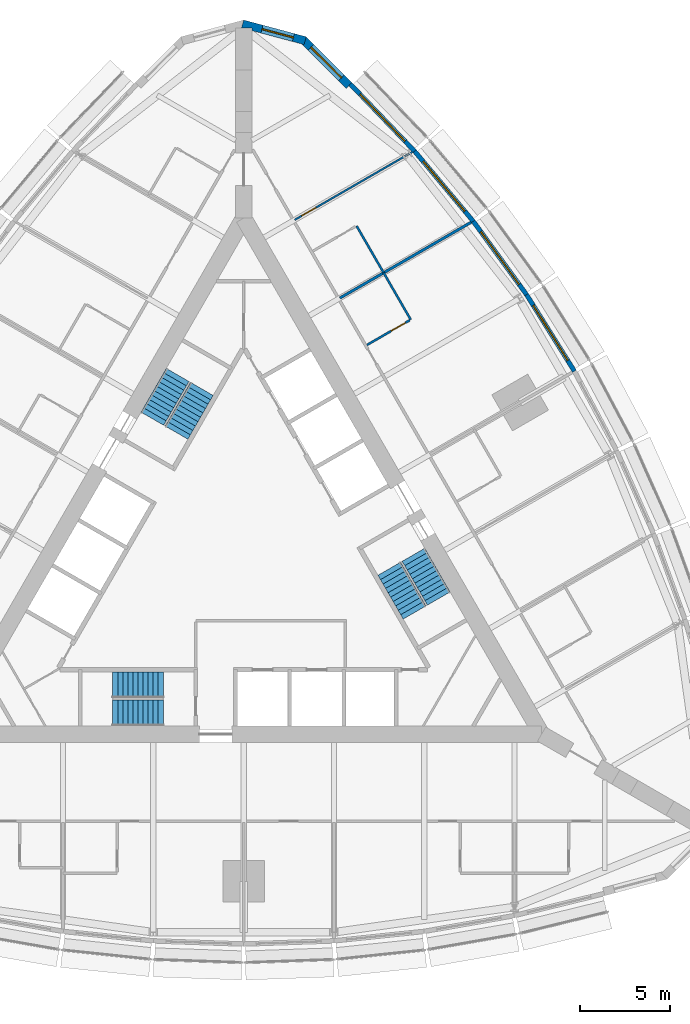
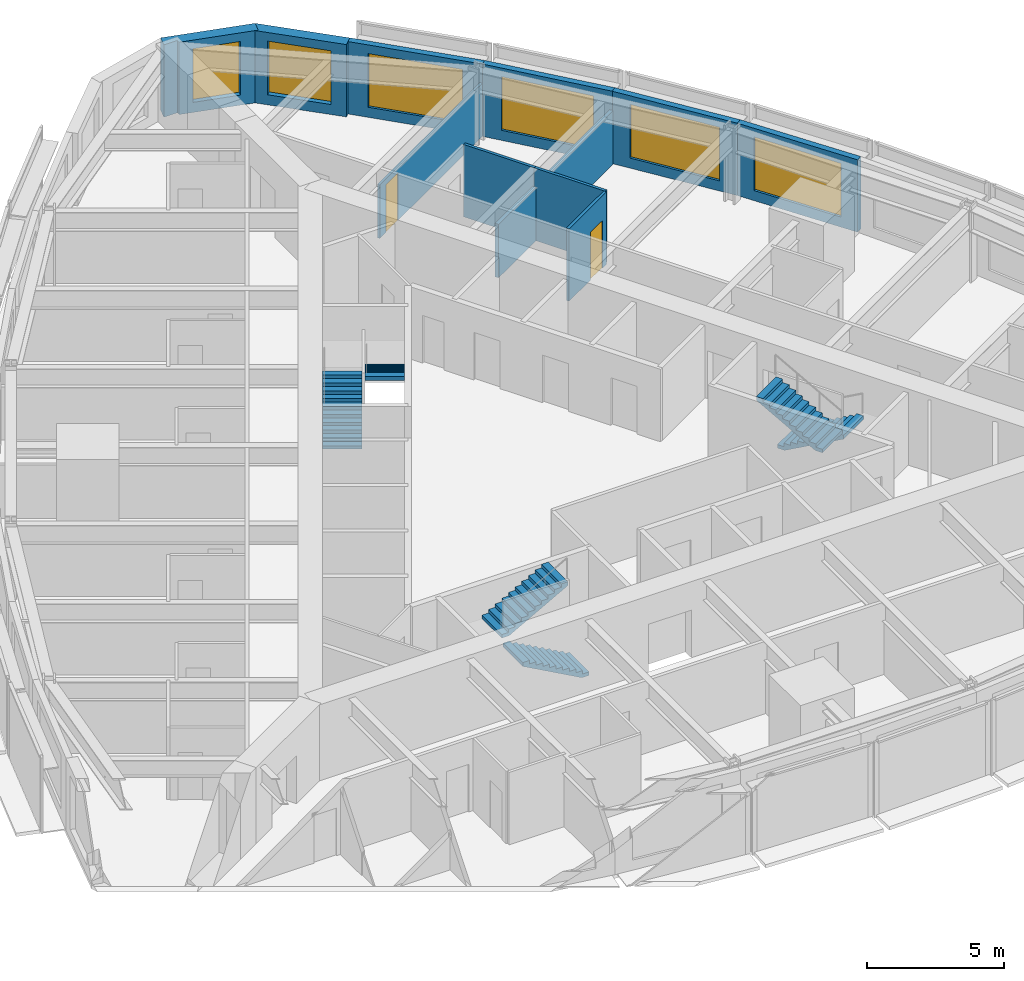
# One storey, part 13 of 14: 11 walls, 6 stair flights, 6 windows, 2 doors, 8 openings, 3 elements without a shape of their own.
"""IFC4 building model written with IfcOpenShell, lengths in metres."""

from ifc_helpers import new_model, si_unit, direction, frame, frame_2d, origin, place, context, subcontext, project, spatial, polyline, rectangle, outline, extrude, material, layer, layer_set, type_object, element, fill, aggregate, save


model = new_model("IFC4")

# Units and contexts
model_context = context("Model", 3, precision=1e-05, world=origin(), true_north=direction((0.0, 1.0)))
body_context = subcontext(model_context, "Body", "Model", "MODEL_VIEW")
ifc_project = project(units=[si_unit("LENGTHUNIT", "METRE"), si_unit("AREAUNIT", "SQUARE_METRE"), si_unit("VOLUMEUNIT", "CUBIC_METRE"), si_unit("PLANEANGLEUNIT", "RADIAN"), si_unit("MASSUNIT", "GRAM", prefix="KILO")], contexts=[model_context])

# Site, building, storey
site_placement = place(None, origin())
site = spatial("IfcSite", under=ifc_project, at=site_placement, CompositionType="ELEMENT")
building_placement = place(site_placement, origin())
building = spatial("IfcBuilding", under=site, at=building_placement, Name="Trikona Tower", CompositionType="ELEMENT")
storey_placement = place(building_placement, frame((0.0, 0.0, 179.300048828125)))
storey = spatial("IfcBuildingStorey", under=building, at=storey_placement, Name="L48", CompositionType="ELEMENT", Elevation=179.300048828125)

# Wall
ifc_material_1 = material(Name="Metal stud and cement board", Category="gypsum")
ifc_layer_1 = layer(ifc_material_1, 0.1201171875)
ifc_layer_set_1 = layer_set([ifc_layer_1], Name="Bathroom wall 120")
wall_type_1 = type_object("IfcWallType", Name="Bathroom wall 120", PredefinedType="PLUMBINGWALL", material=ifc_layer_set_1)
wall_1_placement = place(storey_placement, frame((9.25341796875, 13.42529296875, 0.0), z_axis=(0.0, 0.0, 1.0), x_axis=(-0.499990139034, 0.866031096941, 0.0)))
element("IfcWall", 1, at=wall_1_placement, inside=storey, type_object=wall_type_1, Name="Bathroom wall 4808", PredefinedType="PLUMBINGWALL", context=body_context, shape_type="SweptSolid", body=[
    extrude(rectangle(XDim=3.0, YDim=0.1201171875, at=frame_2d((1.5, 0.0))), origin(), (0.0, 0.0, 1.0), 3.23486328125),
])

# Wall, opening, door
wall_2_placement = place(storey_placement, frame((6.82861328125, 12.025390625, 0.0), z_axis=(0.0, 0.0, 1.0), x_axis=(0.866035715982, 0.499982138324, 0.0)))
wall_2 = element("IfcWall", 2, at=wall_2_placement, inside=storey, type_object=wall_type_1, Name="Bathroom wall 4808", PredefinedType="PLUMBINGWALL", context=body_context, shape_type="SweptSolid", body=[
    extrude(rectangle(XDim=2.73974609375, YDim=0.1201171875, at=frame_2d((1.369873046875, 0.0))), origin(), (0.0, 0.0, 1.0), 3.23486328125),
])
opening_1_placement = place(wall_2_placement, frame((1.550048828125, 0.0, 0.0)))
opening_1 = element("IfcOpeningElement", 3, at=opening_1_placement, cuts=wall_2, Name="Opening D2", PredefinedType="OPENING", context=body_context, shape_type="SweptSolid", body=[
    extrude(rectangle(XDim=0.89990234375, YDim=2.1298828125, at=frame_2d((0.449951171875, 1.06494140625))), frame((0.0, 0.070068359375, 0.0), z_axis=(0.0, -1.0, 0.0), x_axis=(1.0, 0.0, 0.0)), (0.0, 0.0, 1.0), 0.14013671875),
])
ifc_material_2 = material(Name="Steel door frame with solid-core timber leaf", Category="steel")
door_type_1 = type_object("IfcDoorType", Name="Bathroom door 900x2130", OperationType="SLIDING_TO_LEFT", PredefinedType="DOOR", material=ifc_material_2)
door_1_placement = place(opening_1_placement, origin())
door_1 = element("IfcDoor", 4, at=door_1_placement, inside=storey, type_object=door_type_1, Name="Bathroom door 4808", OperationType="SLIDING_TO_LEFT", OverallHeight=2.1298828125, OverallWidth=0.89990234375, PredefinedType="DOOR", context=body_context, shape_type="SweptSolid", body=[
    extrude(rectangle(XDim=0.89990234375, YDim=2.1298828125, at=frame_2d((0.449951171875, 1.06494140625))), frame((0.0, 0.02490234375, 0.0), z_axis=(0.0, -1.0, 0.0), x_axis=(1.0, 0.0, 0.0)), (0.0, 0.0, 1.0), 0.050048828125),
])
fill(opening_1, door_1)

# Wall
wall_3_placement = place(storey_placement, frame((7.75341796875, 16.0234375, 0.0), z_axis=(0.0, 0.0, 1.0), x_axis=(-0.499990139034, 0.866031096941, 0.0)))
element("IfcWall", 5, at=wall_3_placement, inside=storey, type_object=wall_type_1, Name="Bathroom wall 4809.1", PredefinedType="PLUMBINGWALL", context=body_context, shape_type="SweptSolid", body=[
    extrude(rectangle(XDim=3.0, YDim=0.1201171875, at=frame_2d((1.5, 0.0))), origin(), (0.0, 0.0, 1.0), 3.23486328125),
])

# Wall, opening, window
ifc_material_3 = material(Name="Brick-faced precast concrete", Category="masonry")
ifc_layer_2 = layer(ifc_material_3, 0.449951171875)
ifc_layer_set_2 = layer_set([ifc_layer_2], Name="Brick-faced corner wall 450")
wall_type_2 = type_object("IfcWallType", Name="Brick-faced corner wall 450", PredefinedType="SOLIDWALL", material=ifc_layer_set_2)
wall_4_placement = place(storey_placement, frame((5.8408203125, 26.39892578125, 0.0), z_axis=(0.0, 0.0, 1.0), x_axis=(-0.707106781187, 0.707106781187, 0.0)))
wall_4 = element("IfcWall", 6, at=wall_4_placement, inside=storey, type_object=wall_type_2, Name="External wall L48-20", PredefinedType="SOLIDWALL", context=body_context, shape_type="SweptSolid", body=[
    extrude(rectangle(XDim=3.586181640625, YDim=0.449951171875, at=frame_2d((1.79296875, 0.0))), origin(), (0.0, 0.0, 1.0), 3.23486328125),
])
opening_2_placement = place(wall_4_placement, frame((0.59326171875, 0.0, 0.449951171875)))
opening_2 = element("IfcOpeningElement", 7, at=opening_2_placement, cuts=wall_4, Name="Opening W2424", PredefinedType="OPENING", context=body_context, shape_type="SweptSolid", body=[
    extrude(rectangle(XDim=2.39990234375, YDim=2.39990234375, at=frame_2d((1.199951171875, 1.199951171875))), frame((0.0, 0.23486328125, 0.0), z_axis=(0.0, -1.0, 0.0), x_axis=(1.0, 0.0, 0.0)), (0.0, 0.0, 1.0), 0.469970703125),
])
ifc_material_4 = material(Name="Aluminium-framed double glazing", Category="aluminium")
window_type_1 = type_object("IfcWindowType", Name="Window 2400x2400", PartitioningType="SINGLE_PANEL", PredefinedType="WINDOW", material=ifc_material_4)
window_1_placement = place(opening_2_placement, origin())
window_1 = element("IfcWindow", 8, at=window_1_placement, inside=storey, type_object=window_type_1, Name="Window 4809", OverallHeight=2.39990234375, OverallWidth=2.39990234375, PartitioningType="SINGLE_PANEL", PredefinedType="WINDOW", context=body_context, shape_type="SweptSolid", body=[
    extrude(rectangle(XDim=2.39990234375, YDim=2.39990234375, at=frame_2d((1.199951171875, 1.199951171875))), frame((0.0, 0.030029296875, 0.0), z_axis=(0.0, -1.0, 0.0), x_axis=(1.0, 0.0, 0.0)), (0.0, 0.0, 1.0), 0.06005859375),
])
fill(opening_2, window_1)

wall_5_placement = place(storey_placement, frame((3.406005859375, 28.876708984375, 0.0), z_axis=(0.0, 0.0, 1.0), x_axis=(-0.965924653531, 0.258823421857, 0.0)))
wall_5 = element("IfcWall", 9, at=wall_5_placement, inside=storey, type_object=wall_type_2, Name="External wall L48-21", PredefinedType="SOLIDWALL", context=body_context, shape_type="SweptSolid", body=[
    extrude(outline(polyline([(3.58642578125, 0.22509765625), (3.526611328125, 0.22509765625), (3.035400390625, 0.09326171875), (3.0, 0.22509765625), (0.0, 0.22509765625), (0.0, -0.22509765625), (3.58642578125, -0.22509765625), (3.58642578125, 0.22509765625)])), origin(), (0.0, 0.0, 1.0), 3.23486328125),
])
opening_3_placement = place(wall_5_placement, frame((0.6748046875, 0.0, 0.449951171875)))
opening_3 = element("IfcOpeningElement", 10, at=opening_3_placement, cuts=wall_5, Name="Opening W1824", PredefinedType="OPENING", context=body_context, shape_type="SweptSolid", body=[
    extrude(rectangle(XDim=1.800048828125, YDim=2.39990234375, at=frame_2d((0.89990234375, 1.199951171875))), frame((0.0, 0.23486328125, 0.0), z_axis=(0.0, -1.0, 0.0), x_axis=(1.0, 0.0, 0.0)), (0.0, 0.0, 1.0), 0.469970703125),
])
ifc_material_5 = material(Name="Aluminium-framed double glazing", Category="aluminium")
window_type_2 = type_object("IfcWindowType", Name="Window 1800x2400", PartitioningType="SINGLE_PANEL", PredefinedType="WINDOW", material=ifc_material_5)
window_2_placement = place(opening_3_placement, origin())
window_2 = element("IfcWindow", 11, at=window_2_placement, inside=storey, type_object=window_type_2, Name="Window 4809", OverallHeight=2.39990234375, OverallWidth=1.800048828125, PartitioningType="SINGLE_PANEL", PredefinedType="WINDOW", context=body_context, shape_type="SweptSolid", body=[
    extrude(rectangle(XDim=1.800048828125, YDim=2.39990234375, at=frame_2d((0.89990234375, 1.199951171875))), frame((0.0, 0.030029296875, 0.0), z_axis=(0.0, -1.0, 0.0), x_axis=(1.0, 0.0, 0.0)), (0.0, 0.0, 1.0), 0.06005859375),
])
fill(opening_3, window_2)

ifc_material_6 = material(Name="Insulated precast concrete spandrel panel", Category="concrete")
ifc_layer_3 = layer(ifc_material_6, 0.25)
ifc_layer_set_3 = layer_set([ifc_layer_3], Name="Inner skin wall 250")
wall_type_3 = type_object("IfcWallType", Name="Inner skin wall 250", PredefinedType="STANDARD", material=ifc_layer_set_3)
wall_6_placement = place(storey_placement, frame((18.31884765625, 10.5712890625, 0.0), z_axis=(0.0, 0.0, 1.0), x_axis=(-0.529990167382, 0.84800378683, 0.0)))
wall_6 = element("IfcWall", 12, at=wall_6_placement, inside=storey, type_object=wall_type_3, Name="External wall L48-16", PredefinedType="STANDARD", context=body_context, shape_type="SweptSolid", body=[
    extrude(rectangle(XDim=5.003173828125, YDim=0.25, at=frame_2d((2.50146484375, 0.0))), origin(), (0.0, 0.0, 1.0), 3.23486328125),
])
opening_4_placement = place(wall_6_placement, frame((0.701416015625, 0.0, 0.449951171875)))
opening_4 = element("IfcOpeningElement", 13, at=opening_4_placement, cuts=wall_6, Name="Opening W3624", PredefinedType="OPENING", context=body_context, shape_type="SweptSolid", body=[
    extrude(rectangle(XDim=3.60009765625, YDim=2.39990234375, at=frame_2d((1.800048828125, 1.199951171875))), frame((0.0, 0.135009765625, 0.0), z_axis=(0.0, -1.0, 0.0), x_axis=(1.0, 0.0, 0.0)), (0.0, 0.0, 1.0), 0.27001953125),
])
ifc_material_7 = material(Name="Aluminium-framed double glazing", Category="aluminium")
window_type_3 = type_object("IfcWindowType", Name="Window 3600x2400", PartitioningType="SINGLE_PANEL", PredefinedType="WINDOW", material=ifc_material_7)
window_3_placement = place(opening_4_placement, origin())
window_3 = element("IfcWindow", 14, at=window_3_placement, inside=storey, type_object=window_type_3, Name="Window 4808", OverallHeight=2.39990234375, OverallWidth=3.60009765625, PartitioningType="SINGLE_PANEL", PredefinedType="WINDOW", context=body_context, shape_type="SweptSolid", body=[
    extrude(rectangle(XDim=3.60009765625, YDim=2.39990234375, at=frame_2d((1.800048828125, 1.199951171875))), frame((0.0, 0.030029296875, 0.0), z_axis=(0.0, -1.0, 0.0), x_axis=(1.0, 0.0, 0.0)), (0.0, 0.0, 1.0), 0.06005859375),
])
fill(opening_4, window_3)

wall_7_placement = place(storey_placement, frame((15.672119140625, 14.806640625, 0.0), z_axis=(0.0, 0.0, 1.0), x_axis=(-0.587669188412, 0.809101307001, 0.0)))
wall_7 = element("IfcWall", 15, at=wall_7_placement, inside=storey, type_object=wall_type_3, Name="External wall L48-17", PredefinedType="STANDARD", context=body_context, shape_type="SweptSolid", body=[
    extrude(rectangle(XDim=5.027587890625, YDim=0.25, at=frame_2d((2.513671875, 0.0))), origin(), (0.0, 0.0, 1.0), 3.23486328125),
])
opening_5_placement = place(wall_7_placement, frame((0.7138671875, 0.0, 0.449951171875)))
opening_5 = element("IfcOpeningElement", 16, at=opening_5_placement, cuts=wall_7, Name="Opening W3624", PredefinedType="OPENING", context=body_context, shape_type="SweptSolid", body=[
    extrude(rectangle(XDim=3.60009765625, YDim=2.39990234375, at=frame_2d((1.800048828125, 1.199951171875))), frame((0.0, 0.135009765625, 0.0), z_axis=(0.0, -1.0, 0.0), x_axis=(1.0, 0.0, 0.0)), (0.0, 0.0, 1.0), 0.27001953125),
])
window_4_placement = place(opening_5_placement, origin())
window_4 = element("IfcWindow", 17, at=window_4_placement, inside=storey, type_object=window_type_3, Name="Window 4808", OverallHeight=2.39990234375, OverallWidth=3.60009765625, PartitioningType="SINGLE_PANEL", PredefinedType="WINDOW", context=body_context, shape_type="SweptSolid", body=[
    extrude(rectangle(XDim=3.60009765625, YDim=2.39990234375, at=frame_2d((1.800048828125, 1.199951171875))), frame((0.0, 0.030029296875, 0.0), z_axis=(0.0, -1.0, 0.0), x_axis=(1.0, 0.0, 0.0)), (0.0, 0.0, 1.0), 0.06005859375),
])
fill(opening_5, window_4)

wall_8_placement = place(storey_placement, frame((12.722900390625, 18.86767578125, 0.0), z_axis=(0.0, 0.0, 1.0), x_axis=(-0.641810386606, 0.766863369607, 0.0)))
wall_8 = element("IfcWall", 18, at=wall_8_placement, inside=storey, type_object=wall_type_3, Name="External wall L48-18", PredefinedType="STANDARD", context=body_context, shape_type="SweptSolid", body=[
    extrude(rectangle(XDim=5.075927734375, YDim=0.25, at=frame_2d((2.5380859375, 0.0))), origin(), (0.0, 0.0, 1.0), 3.23486328125),
])
opening_6_placement = place(wall_8_placement, frame((0.738037109375, 0.0, 0.449951171875)))
opening_6 = element("IfcOpeningElement", 19, at=opening_6_placement, cuts=wall_8, Name="Opening W3624", PredefinedType="OPENING", context=body_context, shape_type="SweptSolid", body=[
    extrude(rectangle(XDim=3.60009765625, YDim=2.39990234375, at=frame_2d((1.800048828125, 1.199951171875))), frame((0.0, 0.135009765625, 0.0), z_axis=(0.0, -1.0, 0.0), x_axis=(1.0, 0.0, 0.0)), (0.0, 0.0, 1.0), 0.27001953125),
])
window_5_placement = place(opening_6_placement, origin())
window_5 = element("IfcWindow", 20, at=window_5_placement, inside=storey, type_object=window_type_3, Name="Window 4809.1", OverallHeight=2.39990234375, OverallWidth=3.60009765625, PartitioningType="SINGLE_PANEL", PredefinedType="WINDOW", context=body_context, shape_type="SweptSolid", body=[
    extrude(rectangle(XDim=3.60009765625, YDim=2.39990234375, at=frame_2d((1.800048828125, 1.199951171875))), frame((0.0, 0.030029296875, 0.0), z_axis=(0.0, -1.0, 0.0), x_axis=(1.0, 0.0, 0.0)), (0.0, 0.0, 1.0), 0.06005859375),
])
fill(opening_6, window_5)

wall_9_placement = place(storey_placement, frame((9.470703125, 22.75390625, 0.0), z_axis=(0.0, 0.0, 1.0), x_axis=(-0.691719937936, 0.722165858693, 0.0)))
wall_9 = element("IfcWall", 21, at=wall_9_placement, inside=storey, type_object=wall_type_3, Name="External wall L48-19", PredefinedType="STANDARD", context=body_context, shape_type="SweptSolid", body=[
    extrude(rectangle(XDim=5.148193359375, YDim=0.25, at=frame_2d((2.57421875, 0.0))), origin(), (0.0, 0.0, 1.0), 3.23486328125),
])
opening_7_placement = place(wall_9_placement, frame((0.77392578125, 0.0, 0.449951171875)))
opening_7 = element("IfcOpeningElement", 22, at=opening_7_placement, cuts=wall_9, Name="Opening W3624", PredefinedType="OPENING", context=body_context, shape_type="SweptSolid", body=[
    extrude(rectangle(XDim=3.60009765625, YDim=2.39990234375, at=frame_2d((1.800048828125, 1.199951171875))), frame((0.0, 0.135009765625, 0.0), z_axis=(0.0, -1.0, 0.0), x_axis=(1.0, 0.0, 0.0)), (0.0, 0.0, 1.0), 0.27001953125),
])
window_6_placement = place(opening_7_placement, origin())
window_6 = element("IfcWindow", 23, at=window_6_placement, inside=storey, type_object=window_type_3, Name="Window 4809", OverallHeight=2.39990234375, OverallWidth=3.60009765625, PartitioningType="SINGLE_PANEL", PredefinedType="WINDOW", context=body_context, shape_type="SweptSolid", body=[
    extrude(rectangle(XDim=3.60009765625, YDim=2.39990234375, at=frame_2d((1.800048828125, 1.199951171875))), frame((0.0, 0.030029296875, 0.0), z_axis=(0.0, -1.0, 0.0), x_axis=(1.0, 0.0, 0.0)), (0.0, 0.0, 1.0), 0.06005859375),
])
fill(opening_7, window_6)

# Wall
ifc_material_8 = material(Name="Metal stud and gypsum board, 1-hour acoustic", Category="gypsum")
ifc_layer_4 = layer(ifc_material_8, 0.14990234375)
ifc_layer_set_4 = layer_set([ifc_layer_4], Name="Party wall 150")
wall_type_4 = type_object("IfcWallType", Name="Party wall 150", PredefinedType="PARTITIONING", material=ifc_layer_set_4)
wall_10_placement = place(storey_placement, frame((5.32861328125, 14.623291015625, 0.0), z_axis=(0.0, 0.0, 1.0), x_axis=(0.866011723728, 0.500023693804, 0.0)))
element("IfcWall", 24, at=wall_10_placement, inside=storey, type_object=wall_type_4, Name="Partition L48 F2 u10", PredefinedType="PARTITIONING", context=body_context, shape_type="SweptSolid", body=[
    extrude(rectangle(XDim=8.39501953125, YDim=0.14990234375, at=frame_2d((4.197509765625, 0.0))), origin(), (0.0, 0.0, 1.0), 2.38916015625),
])

# Wall, opening, door
ifc_material_9 = material(Name="Metal stud and gypsum board, acoustic", Category="gypsum")
ifc_layer_5 = layer(ifc_material_9, 0.10009765625)
ifc_layer_set_5 = layer_set([ifc_layer_5], Name="Suite partition 100")
wall_type_5 = type_object("IfcWallType", Name="Suite partition 100", PredefinedType="PARTITIONING", material=ifc_layer_set_5)
wall_11_placement = place(storey_placement, frame((2.82861328125, 18.95361328125, 0.0), z_axis=(0.0, 0.0, 1.0), x_axis=(0.866015739374, 0.500016738876, 0.0)))
wall_11 = element("IfcWall", 25, at=wall_11_placement, inside=storey, type_object=wall_type_5, Name="Suite partition L48 F2 u15", PredefinedType="PARTITIONING", context=body_context, shape_type="SweptSolid", body=[
    extrude(rectangle(XDim=7.516357421875, YDim=0.10009765625, at=frame_2d((3.75830078125, 0.0))), origin(), (0.0, 0.0, 1.0), 2.38916015625),
])
opening_8_placement = place(wall_11_placement, frame((0.449951171875, 0.0, 0.0)))
opening_8 = element("IfcOpeningElement", 26, at=opening_8_placement, cuts=wall_11, Name="Opening D13", PredefinedType="OPENING", context=body_context, shape_type="SweptSolid", body=[
    extrude(rectangle(XDim=0.89990234375, YDim=2.1298828125, at=frame_2d((0.449951171875, 1.06494140625))), frame((0.0, 0.06005859375, 0.0), z_axis=(0.0, -1.0, 0.0), x_axis=(1.0, 0.0, 0.0)), (0.0, 0.0, 1.0), 0.1201171875),
])
ifc_material_10 = material(Name="Steel door frame with solid-core timber leaf", Category="steel")
door_type_2 = type_object("IfcDoorType", Name="Suite door 900x2130", OperationType="SINGLE_SWING_LEFT", PredefinedType="DOOR", material=ifc_material_10)
door_2_placement = place(opening_8_placement, origin())
door_2 = element("IfcDoor", 27, at=door_2_placement, inside=storey, type_object=door_type_2, Name="Suite door 4809", OperationType="SINGLE_SWING_LEFT", OverallHeight=2.1298828125, OverallWidth=0.89990234375, PredefinedType="DOOR", context=body_context, shape_type="SweptSolid", body=[
    extrude(rectangle(XDim=0.89990234375, YDim=2.1298828125, at=frame_2d((0.449951171875, 1.06494140625))), frame((0.0, 0.02490234375, 0.0), z_axis=(0.0, -1.0, 0.0), x_axis=(1.0, 0.0, 0.0)), (0.0, 0.0, 1.0), 0.050048828125),
])
fill(opening_8, door_2)

# Stair, stair flights
ifc_material_11 = material(Name="Concrete f'c 5000 psi", Category="concrete")
stair_type = type_object("IfcStairType", Name="Core stair", PredefinedType="HALF_TURN_STAIR", material=ifc_material_11)
stair_1_placement = place(storey_placement, origin())
stair_1 = element("IfcStair", 28, at=stair_1_placement, inside=storey, type_object=stair_type, Name="Stair A L48", PredefinedType="HALF_TURN_STAIR")
ifc_material_12 = material(Name="Concrete f'c 5000 psi", Category="concrete")
stair_flight_type = type_object("IfcStairFlightType", Name="Core stair flight 1450", PredefinedType="STRAIGHT", material=ifc_material_12)
stair_flight_1_placement = place(storey_placement, frame((-4.449951171875, -8.351318359375, 0.0), z_axis=(0.0, 0.0, 1.0), x_axis=(-1.0, 0.0, 0.0)))
stair_flight_1 = element("IfcStairFlight", 29, at=stair_flight_1_placement, type_object=stair_flight_type, Name="ST-A flight 1", NumberOfRisers=11, NumberOfTreads=10, PredefinedType="STRAIGHT", RiserHeight=0.154545, TreadLength=0.28, context=body_context, shape_type="SweptSolid", body=[
    extrude(outline(polyline([(0.0, 0.0), (0.0, 0.154541015625), (0.280029296875, 0.154541015625), (0.280029296875, 0.30908203125), (0.56005859375, 0.30908203125), (0.56005859375, 0.463623046875), (0.840087890625, 0.463623046875), (0.840087890625, 0.6181640625), (1.1201171875, 0.6181640625), (1.1201171875, 0.772705078125), (1.39990234375, 0.772705078125), (1.39990234375, 0.92724609375), (1.679931640625, 0.92724609375), (1.679931640625, 1.081787109375), (1.9599609375, 1.081787109375), (1.9599609375, 1.236328125), (2.239990234375, 1.236328125), (2.239990234375, 1.390869140625), (2.52001953125, 1.390869140625), (2.52001953125, 1.54541015625), (2.800048828125, 1.54541015625), (2.800048828125, 1.699951171875), (2.800048828125, 1.374267578125), (0.310302734375, 0.0), (0.0, 0.0)])), frame((0.0, 0.72509765625, 0.0), z_axis=(0.0, -1.0, 0.0), x_axis=(1.0, 0.0, 0.0)), (0.0, 0.0, 1.0), 1.449951171875),
])
stair_flight_2_placement = place(storey_placement, frame((-7.25, -6.80126953125, 1.699951171875), z_axis=(0.0, 0.0, 1.0), x_axis=(1.0, 0.0, 0.0)))
stair_flight_2 = element("IfcStairFlight", 30, at=stair_flight_2_placement, type_object=stair_flight_type, Name="ST-A flight 2", NumberOfRisers=11, NumberOfTreads=10, PredefinedType="STRAIGHT", RiserHeight=0.154545, TreadLength=0.28, context=body_context, shape_type="SweptSolid", body=[
    extrude(outline(polyline([(0.0, 0.0), (0.0, 0.154541015625), (0.280029296875, 0.154541015625), (0.280029296875, 0.30908203125), (0.56005859375, 0.30908203125), (0.56005859375, 0.463623046875), (0.840087890625, 0.463623046875), (0.840087890625, 0.6181640625), (1.1201171875, 0.6181640625), (1.1201171875, 0.772705078125), (1.39990234375, 0.772705078125), (1.39990234375, 0.92724609375), (1.679931640625, 0.92724609375), (1.679931640625, 1.081787109375), (1.9599609375, 1.081787109375), (1.9599609375, 1.236328125), (2.239990234375, 1.236328125), (2.239990234375, 1.390869140625), (2.52001953125, 1.390869140625), (2.52001953125, 1.54541015625), (2.800048828125, 1.54541015625), (2.800048828125, 1.699951171875), (2.800048828125, 1.374267578125), (0.310302734375, 0.0), (0.0, 0.0)])), frame((0.0, 0.72509765625, 0.0), z_axis=(0.0, -1.0, 0.0), x_axis=(1.0, 0.0, 0.0)), (0.0, 0.0, 1.0), 1.449951171875),
])
aggregate(stair_1, [stair_flight_1, stair_flight_2])

stair_2_placement = place(storey_placement, origin())
stair_2 = element("IfcStair", 31, at=stair_2_placement, inside=storey, type_object=stair_type, Name="Stair B L48", PredefinedType="HALF_TURN_STAIR")
stair_flight_3_placement = place(storey_placement, frame((9.407470703125, 0.408447265625, 0.0), z_axis=(0.0, 0.0, 1.0), x_axis=(0.5, -0.866025403784, 0.0)))
stair_flight_3 = element("IfcStairFlight", 32, at=stair_flight_3_placement, type_object=stair_flight_type, Name="ST-B flight 1", NumberOfRisers=11, NumberOfTreads=10, PredefinedType="STRAIGHT", RiserHeight=0.154545, TreadLength=0.28, context=body_context, shape_type="SweptSolid", body=[
    extrude(outline(polyline([(0.0, 0.0), (0.0, 0.154541015625), (0.280029296875, 0.154541015625), (0.280029296875, 0.30908203125), (0.56005859375, 0.30908203125), (0.56005859375, 0.463623046875), (0.840087890625, 0.463623046875), (0.840087890625, 0.6181640625), (1.1201171875, 0.6181640625), (1.1201171875, 0.772705078125), (1.39990234375, 0.772705078125), (1.39990234375, 0.92724609375), (1.679931640625, 0.92724609375), (1.679931640625, 1.081787109375), (1.9599609375, 1.081787109375), (1.9599609375, 1.236328125), (2.239990234375, 1.236328125), (2.239990234375, 1.390869140625), (2.52001953125, 1.390869140625), (2.52001953125, 1.54541015625), (2.800048828125, 1.54541015625), (2.800048828125, 1.699951171875), (2.800048828125, 1.374267578125), (0.310302734375, 0.0), (0.0, 0.0)])), frame((0.0, 0.72509765625, 0.0), z_axis=(0.0, -1.0, 0.0), x_axis=(1.0, 0.0, 0.0)), (0.0, 0.0, 1.0), 1.449951171875),
])
stair_flight_4_placement = place(storey_placement, frame((9.465087890625, -2.79150390625, 1.699951171875), z_axis=(0.0, 0.0, 1.0), x_axis=(-0.5, 0.866025403784, 0.0)))
stair_flight_4 = element("IfcStairFlight", 33, at=stair_flight_4_placement, type_object=stair_flight_type, Name="ST-B flight 2", NumberOfRisers=11, NumberOfTreads=10, PredefinedType="STRAIGHT", RiserHeight=0.154545, TreadLength=0.28, context=body_context, shape_type="SweptSolid", body=[
    extrude(outline(polyline([(0.0, 0.0), (0.0, 0.154541015625), (0.280029296875, 0.154541015625), (0.280029296875, 0.30908203125), (0.56005859375, 0.30908203125), (0.56005859375, 0.463623046875), (0.840087890625, 0.463623046875), (0.840087890625, 0.6181640625), (1.1201171875, 0.6181640625), (1.1201171875, 0.772705078125), (1.39990234375, 0.772705078125), (1.39990234375, 0.92724609375), (1.679931640625, 0.92724609375), (1.679931640625, 1.081787109375), (1.9599609375, 1.081787109375), (1.9599609375, 1.236328125), (2.239990234375, 1.236328125), (2.239990234375, 1.390869140625), (2.52001953125, 1.390869140625), (2.52001953125, 1.54541015625), (2.800048828125, 1.54541015625), (2.800048828125, 1.699951171875), (2.800048828125, 1.374267578125), (0.310302734375, 0.0), (0.0, 0.0)])), frame((0.0, 0.72509765625, 0.0), z_axis=(0.0, -1.0, 0.0), x_axis=(1.0, 0.0, 0.0)), (0.0, 0.0, 1.0), 1.449951171875),
])
aggregate(stair_2, [stair_flight_3, stair_flight_4])

stair_3_placement = place(storey_placement, origin())
stair_3 = element("IfcStair", 34, at=stair_3_placement, inside=storey, type_object=stair_type, Name="Stair C L48", PredefinedType="HALF_TURN_STAIR")
stair_flight_5_placement = place(storey_placement, frame((-5.057373046875, 7.94287109375, 0.0), z_axis=(0.0, 0.0, 1.0), x_axis=(0.5, 0.866025403784, 0.0)))
stair_flight_5 = element("IfcStairFlight", 35, at=stair_flight_5_placement, type_object=stair_flight_type, Name="ST-C flight 1", NumberOfRisers=11, NumberOfTreads=10, PredefinedType="STRAIGHT", RiserHeight=0.154545, TreadLength=0.28, context=body_context, shape_type="SweptSolid", body=[
    extrude(outline(polyline([(0.0, 0.0), (0.0, 0.154541015625), (0.280029296875, 0.154541015625), (0.280029296875, 0.30908203125), (0.56005859375, 0.30908203125), (0.56005859375, 0.463623046875), (0.840087890625, 0.463623046875), (0.840087890625, 0.6181640625), (1.1201171875, 0.6181640625), (1.1201171875, 0.772705078125), (1.39990234375, 0.772705078125), (1.39990234375, 0.92724609375), (1.679931640625, 0.92724609375), (1.679931640625, 1.081787109375), (1.9599609375, 1.081787109375), (1.9599609375, 1.236328125), (2.239990234375, 1.236328125), (2.239990234375, 1.390869140625), (2.52001953125, 1.390869140625), (2.52001953125, 1.54541015625), (2.800048828125, 1.54541015625), (2.800048828125, 1.699951171875), (2.800048828125, 1.374267578125), (0.310302734375, 0.0), (0.0, 0.0)])), frame((0.0, 0.72509765625, 0.0), z_axis=(0.0, -1.0, 0.0), x_axis=(1.0, 0.0, 0.0)), (0.0, 0.0, 1.0), 1.449951171875),
])
stair_flight_6_placement = place(storey_placement, frame((-2.315185546875, 9.5927734375, 1.699951171875), z_axis=(0.0, 0.0, 1.0), x_axis=(-0.5, -0.866025403784, 0.0)))
stair_flight_6 = element("IfcStairFlight", 36, at=stair_flight_6_placement, type_object=stair_flight_type, Name="ST-C flight 2", NumberOfRisers=11, NumberOfTreads=10, PredefinedType="STRAIGHT", RiserHeight=0.154545, TreadLength=0.28, context=body_context, shape_type="SweptSolid", body=[
    extrude(outline(polyline([(0.0, 0.0), (0.0, 0.154541015625), (0.280029296875, 0.154541015625), (0.280029296875, 0.30908203125), (0.56005859375, 0.30908203125), (0.56005859375, 0.463623046875), (0.840087890625, 0.463623046875), (0.840087890625, 0.6181640625), (1.1201171875, 0.6181640625), (1.1201171875, 0.772705078125), (1.39990234375, 0.772705078125), (1.39990234375, 0.92724609375), (1.679931640625, 0.92724609375), (1.679931640625, 1.081787109375), (1.9599609375, 1.081787109375), (1.9599609375, 1.236328125), (2.239990234375, 1.236328125), (2.239990234375, 1.390869140625), (2.52001953125, 1.390869140625), (2.52001953125, 1.54541015625), (2.800048828125, 1.54541015625), (2.800048828125, 1.699951171875), (2.800048828125, 1.374267578125), (0.310302734375, 0.0), (0.0, 0.0)])), frame((0.0, 0.72509765625, 0.0), z_axis=(0.0, -1.0, 0.0), x_axis=(1.0, 0.0, 0.0)), (0.0, 0.0, 1.0), 1.449951171875),
])
aggregate(stair_3, [stair_flight_5, stair_flight_6])

save(model, "model.ifc")
